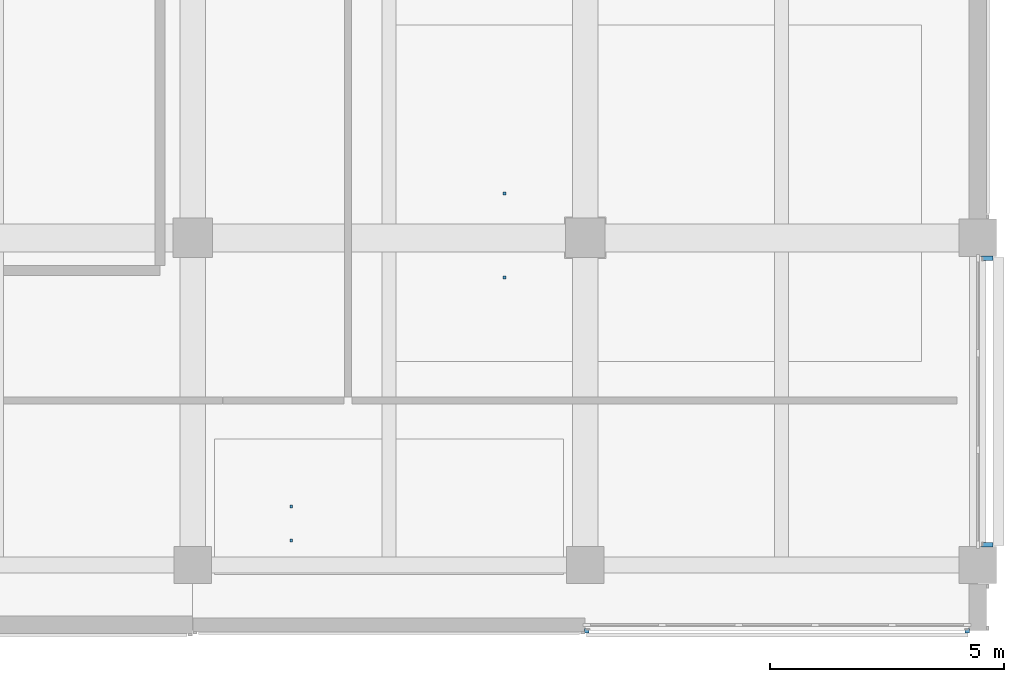
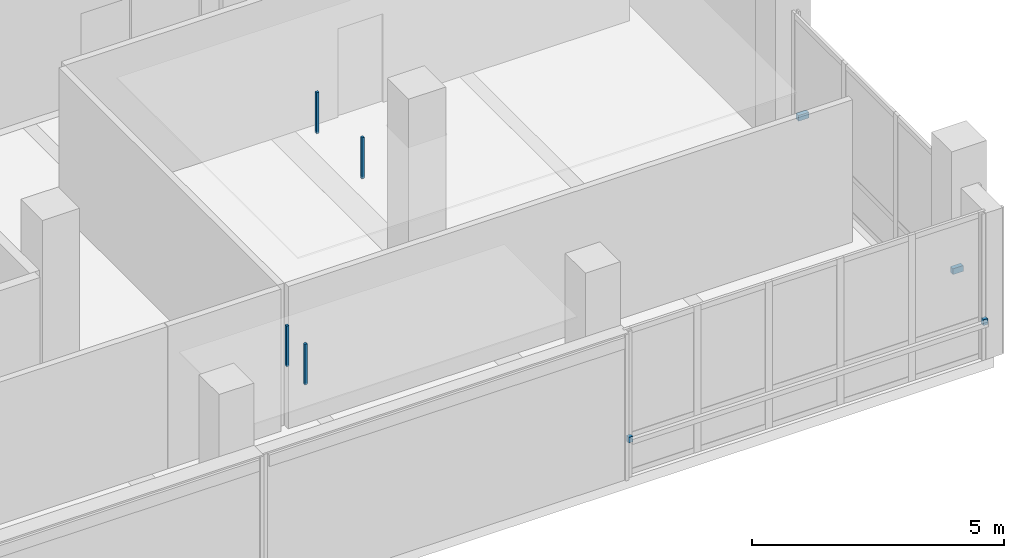
# One storey, part 18 of 35: 8 discrete accessories.
"""IFC4 building model written with IfcOpenShell, lengths in metres."""

from ifc_helpers import new_model, si_unit, direction, frame, origin, origin_2d, place, context, subcontext, project, spatial, rectangle, extrude, material, type_object, element, save


model = new_model("IFC4")

# Units and contexts
model_context = context("Model", 3, precision=1e-05, world=origin(), true_north=direction((0.0, 1.0)))
body_context = subcontext(model_context, "Body", "Model", "MODEL_VIEW")
ifc_project = project(units=[si_unit("LENGTHUNIT", "METRE"), si_unit("AREAUNIT", "SQUARE_METRE"), si_unit("VOLUMEUNIT", "CUBIC_METRE"), si_unit("PLANEANGLEUNIT", "RADIAN"), si_unit("MASSUNIT", "GRAM", prefix="KILO")], contexts=[model_context])

# Site, building, storey
site_placement = place(None, origin())
site = spatial("IfcSite", under=ifc_project, at=site_placement, CompositionType="ELEMENT")
building_placement = place(site_placement, origin())
building = spatial("IfcBuilding", under=site, at=building_placement, Name="Telukmera Botanical Conservatory", CompositionType="ELEMENT")
storey_placement = place(building_placement, frame((0.0, 0.0, 28.5)))
storey = spatial("IfcBuildingStorey", under=building, at=storey_placement, Name="L06", CompositionType="ELEMENT", Elevation=28.5)

# Discrete accessories
ifc_material = material(Name="Steel S355", Category="steel")
discrete_accessory_type_1 = type_object("IfcDiscreteAccessoryType", Name="ACC-CEIL-HGR", PredefinedType="BRACKET", material=ifc_material)
for number, where, z_axis, x_axis, name in (
    (1, (99.069091796875, 16.75, 3.31005859375), (0.0, 0.0, 1.0), (1.0, 0.0, 0.0), "L06 Suspended Ceiling Hanger Rod 028-1"),
    (2, (99.069091796875, 18.550048828125, 3.31005859375), (0.0, 0.0, 1.0), (1.0, 0.0, 0.0), "L06 Suspended Ceiling Hanger Rod 028-2"),
):
    element("IfcDiscreteAccessory", number, at=place(storey_placement, frame(where, z_axis=z_axis, x_axis=x_axis)), inside=storey, type_object=discrete_accessory_type_1, Name=name, PredefinedType="BRACKET", context=body_context, shape_type="SweptSolid", body=[
        extrude(rectangle(XDim=0.06005859375, YDim=0.06005859375, at=origin_2d()), origin(), (0.0, 0.0, 1.0), 0.9951171875),
    ])
for number, where, z_axis, x_axis, name in (
    (3, (94.51123046875, 11.125, 3.31982421875), (0.0, 0.0, 1.0), (1.0, 0.0, 0.0), "L06 Suspended Ceiling Hanger Rod 033-1"),
    (4, (94.51123046875, 11.85009765625, 3.31982421875), (0.0, 0.0, 1.0), (1.0, 0.0, 0.0), "L06 Suspended Ceiling Hanger Rod 033-2"),
):
    element("IfcDiscreteAccessory", number, at=place(storey_placement, frame(where, z_axis=z_axis, x_axis=x_axis)), inside=storey, type_object=discrete_accessory_type_1, Name=name, PredefinedType="BRACKET", context=body_context, shape_type="SweptSolid", body=[
        extrude(rectangle(XDim=0.06005859375, YDim=0.06005859375, at=origin_2d()), origin(), (0.0, 0.0, 1.0), 0.985107421875),
    ])
discrete_accessory_type_2 = type_object("IfcDiscreteAccessoryType", Name="Structural Steel Facade Outrigger Fin Bracket", PredefinedType="BRACKET", material=ifc_material)
for number, where, z_axis, x_axis, name in (
    (5, (100.83447265625, 9.195068359375, 0.8798828125), (0.0, 0.0, 1.0), (1.0, 0.0, 0.0), "Facade Outrigger Bracket V4:L06:S7 A"),
    (6, (108.9755859375, 9.195068359375, 0.8798828125), (0.0, 0.0, 1.0), (1.0, 0.0, 0.0), "Facade Outrigger Bracket V4:L06:S7 B"),
):
    element("IfcDiscreteAccessory", number, at=place(storey_placement, frame(where, z_axis=z_axis, x_axis=x_axis)), inside=storey, type_object=discrete_accessory_type_2, Name=name, PredefinedType="BRACKET", context=body_context, shape_type="SweptSolid", body=[
        extrude(rectangle(XDim=0.10009765625, YDim=0.090087890625, at=origin_2d()), origin(), (0.0, 0.0, 1.0), 0.139892578125),
    ])
for number, where, z_axis, x_axis, name in (
    (7, (109.39990234375, 11.034423828125, 0.8798828125), (0.0, 0.0, 1.0), (0.0, 1.0, 0.0), "Facade Outrigger Bracket V4:L06:E1 A"),
    (8, (109.39990234375, 17.16552734375, 0.8798828125), (0.0, 0.0, 1.0), (0.0, 1.0, 0.0), "Facade Outrigger Bracket V4:L06:E1 B"),
):
    element("IfcDiscreteAccessory", number, at=place(storey_placement, frame(where, z_axis=z_axis, x_axis=x_axis)), inside=storey, type_object=discrete_accessory_type_2, Name=name, PredefinedType="BRACKET", context=body_context, shape_type="SweptSolid", body=[
        extrude(rectangle(XDim=0.10009765625, YDim=0.239990234375, at=origin_2d()), origin(), (0.0, 0.0, 1.0), 0.139892578125),
    ])

save(model, "model.ifc")
